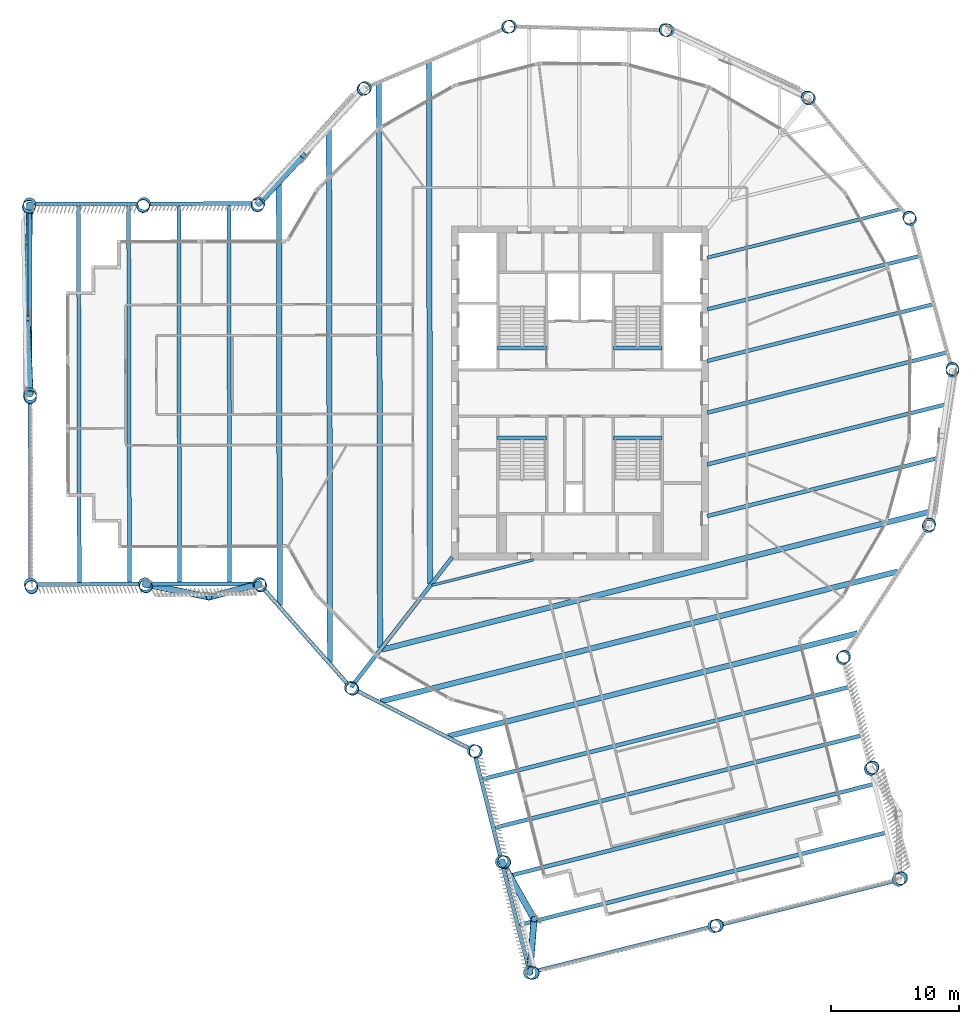
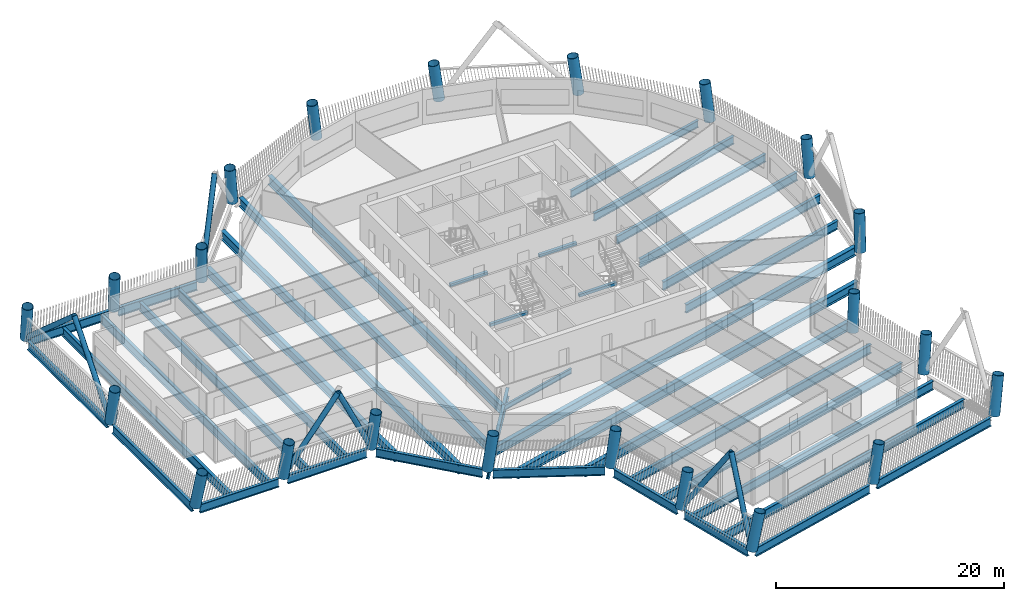
# One storey, part 1 of 22: 39 beams, 22 columns, 7 members.
"""IFC4 building model written with IfcOpenShell, lengths in metres."""

import ifcopenshell
import ifcopenshell.guid

model = None  # the IFC model being written
_history = None  # IfcOwnerHistory: only IFC2X3 demands one
_inside = {}  # id of a spatial element -> (the spatial element, [elements in it])
_under = {}  # id of a project, library or spatial element -> (it, [spatial elements below it])
_declared = {}  # id of a project -> (the project, [libraries it declares])
_typed = {}  # id of a type object -> (the type object, [elements of that type])
_made_of = {}  # id of a material, layer set ... -> (it, [elements and type objects made of it])


def new_model(schema):
    """Start an empty IFC model of exactly this schema.

    Asked for "IFC4X3", IfcOpenShell would pick the latest addendum, in which some entities
    have other attributes; the version numbers below select the first issue.
    IFC2X3 requires an IfcOwnerHistory on every rooted entity: one is made here for all.
    """
    global model, _history
    if schema == "IFC4X3":
        model = ifcopenshell.file(schema_version=(4, 3, 0, 0))
    else:
        model = ifcopenshell.file(schema=schema)
    _inside.clear()
    _under.clear()
    _declared.clear()
    _typed.clear()
    _made_of.clear()
    _history = None
    if model.schema == "IFC2X3":
        org = make("IfcOrganization", Name="unknown")
        user = make(
            "IfcPersonAndOrganization",
            ThePerson=make("IfcPerson", FamilyName="unknown"),
            TheOrganization=org,
        )
        app = make(
            "IfcApplication",
            ApplicationDeveloper=org,
            Version="unknown",
            ApplicationFullName="unknown",
            ApplicationIdentifier="unknown",
        )
        _history = make(
            "IfcOwnerHistory",
            OwningUser=user,
            OwningApplication=app,
            ChangeAction="ADDED",
            CreationDate=0,
        )
    return model


def make(cls, **values):
    """One entity of the class cls with the attributes given. An attribute that is None is left unset."""
    return model.create_entity(
        cls, **{name: value for name, value in values.items() if value is not None}
    )


def rooted(cls, **values):
    """An entity with a GlobalId (a new one), such as an element, a storey or a relation."""
    return make(cls, GlobalId=ifcopenshell.guid.new(), OwnerHistory=_history, **values)


def si_unit(unit_type, name, prefix=None):
    """IfcSIUnit, for example si_unit("LENGTHUNIT", "METRE", prefix="MILLI")."""
    return make("IfcSIUnit", UnitType=unit_type, Prefix=prefix, Name=name)


def assignment(units):
    """IfcUnitAssignment: the units of a project."""
    return None if units is None else make("IfcUnitAssignment", Units=units)


def point(xyz):
    """IfcCartesianPoint."""
    return None if xyz is None else make("IfcCartesianPoint", Coordinates=xyz)


def direction(xyz):
    """IfcDirection."""
    return None if xyz is None else make("IfcDirection", DirectionRatios=xyz)


def frame(location, z_axis=None, x_axis=None):
    """IfcAxis2Placement3D, a coordinate frame: its origin and axes. An axis left out is left unset."""
    return make(
        "IfcAxis2Placement3D",
        Location=point(location),
        Axis=direction(z_axis),
        RefDirection=direction(x_axis),
    )


def frame_2d(location, x_axis=None):
    """IfcAxis2Placement2D, a coordinate frame in the plane: its origin and x axis."""
    return make(
        "IfcAxis2Placement2D", Location=point(location), RefDirection=direction(x_axis)
    )


def origin():
    """The frame at (0, 0, 0) with its axes left unset."""
    return frame((0.0, 0.0, 0.0))


def origin_2d():
    """The frame at (0, 0) in the plane with its x axis left unset."""
    return frame_2d((0.0, 0.0))


def place(relative_to, where):
    """IfcLocalPlacement: puts the frame where relative to a parent placement (None: the world)."""
    return make(
        "IfcLocalPlacement", PlacementRelTo=relative_to, RelativePlacement=where
    )


def context(
    kind, dimensions, precision=None, world=None, true_north=None, identifier=None
):
    """IfcGeometricRepresentationContext, for example the 3D "Model" context."""
    return make(
        "IfcGeometricRepresentationContext",
        ContextIdentifier=identifier,
        ContextType=kind,
        CoordinateSpaceDimension=dimensions,
        Precision=precision,
        WorldCoordinateSystem=world,
        TrueNorth=true_north,
    )


def subcontext(parent, identifier, kind, view, scale=None):
    """IfcGeometricRepresentationSubContext, for example "Body" below "Model"."""
    return make(
        "IfcGeometricRepresentationSubContext",
        ContextIdentifier=identifier,
        ContextType=kind,
        ParentContext=parent,
        TargetScale=scale,
        TargetView=view,
    )


def project(units=None, contexts=None):
    """IfcProject with its units and contexts."""
    return rooted(
        "IfcProject",
        Name="project",
        RepresentationContexts=contexts,
        UnitsInContext=assignment(units),
    )


def spatial(cls, under=None, at=None, **own):
    """A site, building, storey or space (cls), placed at a placement, below another one or the project."""
    s = rooted(cls, ObjectPlacement=at, **own)
    if under is not None:
        _under.setdefault(under.id(), (under, []))[1].append(s)
    return s


def profile(cls, at=None, kind="AREA", **sizes):
    """A parametric profile (cls). Its sizes go by their IFC names, for example OverallWidth=200.0."""
    return make(cls, ProfileType=kind, Position=at, **sizes)


def rectangle(**sizes):
    """IfcRectangleProfileDef."""
    return profile("IfcRectangleProfileDef", **sizes)


def hollow_circle(**sizes):
    """IfcCircleHollowProfileDef."""
    return profile("IfcCircleHollowProfileDef", **sizes)


def i_section(**sizes):
    """IfcIShapeProfileDef."""
    return profile("IfcIShapeProfileDef", **sizes)


def extrude(swept, where, along, depth):
    """IfcExtrudedAreaSolid: the profile swept, set in the frame where, extruded along a direction by depth."""
    return make(
        "IfcExtrudedAreaSolid",
        SweptArea=swept,
        Position=where,
        ExtrudedDirection=direction(along),
        Depth=depth,
    )


def shape(context_of_items, identifier, shape_type, items):
    """IfcShapeRepresentation: the items that make up one representation, for example the "Body"."""
    return make(
        "IfcShapeRepresentation",
        ContextOfItems=context_of_items,
        RepresentationIdentifier=identifier,
        RepresentationType=shape_type,
        Items=items,
    )


def material(Name=None, Category=None):
    """IfcMaterial."""
    return make("IfcMaterial", Name=Name, Category=Category)


def material_profile(
    of_material, cross_section, Name=None, Category=None, Priority=None
):
    """IfcMaterialProfile: a cross section and its material."""
    return make(
        "IfcMaterialProfile",
        Name=Name,
        Material=of_material,
        Profile=cross_section,
        Priority=Priority,
        Category=Category,
    )


def profile_set(profiles, Name=None, composite=None):
    """IfcMaterialProfileSet."""
    return make(
        "IfcMaterialProfileSet",
        Name=Name,
        MaterialProfiles=profiles,
        CompositeProfile=composite,
    )


def made_of(thing, what):
    """Note that an element or type object is made of a material, layer set ...; save() writes the relation."""
    if what is not None:
        _made_of.setdefault(what.id(), (what, []))[1].append(thing)
    return thing


def type_object(cls, material=None, **own):
    """A type object (cls), such as IfcWallType, which elements share."""
    return made_of(rooted(cls, **own), material)


def element(
    cls,
    number,
    at=None,
    inside=None,
    cuts=None,
    type_object=None,
    material=None,
    context=None,
    identifier="Body",
    shape_type=None,
    held_by="IfcProductDefinitionShape",
    body=None,
    shapes=None,
    **own,
):
    """One element of the class cls, such as IfcWall. Its Tag is "e" and its number.

    at: its placement. inside: the storey or other place that contains it. cuts: it is an
    opening in that element (IfcRelVoidsElement). A single representation is given by context,
    identifier, shape_type and body (its items); several are given by shapes. held_by: the class
    of the entity that holds the representations. save() writes the other relations.
    """
    e = rooted(cls, Tag="e%d" % number, ObjectPlacement=at, **own)
    if body is not None:
        shapes = [shape(context, identifier, shape_type, body)]
    if shapes is not None:
        e.Representation = make(held_by, Representations=shapes)
    if inside is not None:
        _inside.setdefault(inside.id(), (inside, []))[1].append(e)
    if cuts is not None:
        rooted(
            "IfcRelVoidsElement", RelatingBuildingElement=cuts, RelatedOpeningElement=e
        )
    if type_object is not None:
        _typed.setdefault(type_object.id(), (type_object, []))[1].append(e)
    return made_of(e, material)


def aggregate(whole, parts):
    """IfcRelAggregates: a whole, such as a stair, and the parts it consists of."""
    return rooted("IfcRelAggregates", RelatingObject=whole, RelatedObjects=parts)


def save(model, path):
    """Write the relations noted so far, then the file.

    IfcRelAggregates (storeys below a building ...), IfcRelContainedInSpatialStructure (elements
    in a storey), IfcRelDefinesByType, IfcRelAssociatesMaterial and IfcRelDeclares: one each for
    every whole, place, type object, material and project.
    """
    for whole, parts in _under.values():
        aggregate(whole, parts)
    for where, things in _inside.values():
        rooted(
            "IfcRelContainedInSpatialStructure",
            RelatedElements=things,
            RelatingStructure=where,
        )
    for kind, things in _typed.values():
        rooted("IfcRelDefinesByType", RelatedObjects=things, RelatingType=kind)
    for what, things in _made_of.values():
        rooted("IfcRelAssociatesMaterial", RelatedObjects=things, RelatingMaterial=what)
    for by, libraries in _declared.values():
        rooted("IfcRelDeclares", RelatingContext=by, RelatedDefinitions=libraries)
    model.write(path)


model = new_model("IFC4")

# Units and contexts
model_context = context("Model", 3, precision=1e-05, world=origin(), true_north=direction((0.0, 1.0)))
body_context = subcontext(model_context, "Body", "Model", "MODEL_VIEW")
ifc_project = project(units=[si_unit("LENGTHUNIT", "METRE"), si_unit("AREAUNIT", "SQUARE_METRE"), si_unit("VOLUMEUNIT", "CUBIC_METRE"), si_unit("PLANEANGLEUNIT", "RADIAN"), si_unit("MASSUNIT", "GRAM", prefix="KILO")], contexts=[model_context])

# Site, building, storey
site_placement = place(None, origin())
site = spatial("IfcSite", under=ifc_project, at=site_placement, CompositionType="ELEMENT")
building_placement = place(site_placement, origin())
building = spatial("IfcBuilding", under=site, at=building_placement, Name="Tarsis Ring Headquarters", CompositionType="ELEMENT")
storey_placement = place(building_placement, frame((0.0, 0.0, 286.39990234375)))
storey = spatial("IfcBuildingStorey", under=building, at=storey_placement, Name="L67", CompositionType="ELEMENT", Elevation=286.39990234375)

# Columns
ifc_material_1 = material(Name="Structural steel S355", Category="steel")
ifc_material_profile_1 = material_profile(ifc_material_1, hollow_circle(Radius=0.508056640625, WallThickness=0.0400390625, at=origin_2d()), Name="CHS 1016x40")
ifc_profile_set_1 = profile_set([ifc_material_profile_1], Name="Structural steel S355")
column_type = type_object("IfcColumnType", Name="XC Exo column CHS 1016x40", PredefinedType="COLUMN", material=ifc_profile_set_1)
for number, where, z_axis, x_axis, name in (
    (1, (-17.8359375, -22.927978515625, 0.001220703125), (0.102426701848, -0.078264186979, 0.991656940572), (0.607146006102, 0.794590288938, 0.0), "Exo column XC6 F1"),
    (2, (-8.2548828125, -27.850830078125, 0.001220703125), (0.123917924806, -0.035591464117, 0.991653969686), (0.276057106633, 0.961141235135, 0.0), "Exo column XC6 AK"),
):
    element("IfcColumn", number, at=place(storey_placement, frame(where, z_axis=z_axis, x_axis=x_axis)), inside=storey, type_object=column_type, Name=name, PredefinedType="COLUMN", context=body_context, shape_type="SweptSolid", body=[
        extrude(hollow_circle(Radius=0.508056640625, WallThickness=0.0400390625, at=origin_2d()), origin(), (0.0, 0.0, 1.0), 3.930419921875),
    ])
column_1_placement = place(storey_placement, frame((-6.083251953125, -36.484130859375, 0.00146484375), z_axis=(0.161368355452, -0.025462949999, 0.986565705889), x_axis=(0.155865438, 0.987778297614, 0.0)))
element("IfcColumn", 3, at=column_1_placement, inside=storey, type_object=column_type, Name="Exo column XC6 AI1", PredefinedType="COLUMN", context=body_context, shape_type="SweptSolid", body=[
    extrude(hollow_circle(Radius=0.508056640625, WallThickness=0.0400390625, at=origin_2d()), origin(), (0.0, 0.0, 1.0), 3.9501953125),
])
column_2_placement = place(storey_placement, frame((-3.911376953125, -45.117431640625, 0.001708984375), z_axis=(0.198017140187, -0.01541156657, 0.980077392764), x_axis=(0.077594799865, 0.996984978339, 0.0)))
element("IfcColumn", 4, at=column_2_placement, inside=storey, type_object=column_type, Name="Exo column XC6 AT1", PredefinedType="COLUMN", context=body_context, shape_type="SweptSolid", body=[
    extrude(hollow_circle(Radius=0.508056640625, WallThickness=0.0400390625, at=origin_2d()), origin(), (0.0, 0.0, 1.0), 3.97607421875),
])
column_3_placement = place(storey_placement, frame((10.44140625, -41.5068359375, 0.00146484375), z_axis=(0.182055586927, 0.047498111899, 0.982140363), x_axis=(-0.252448520537, 0.967610326773, 0.0)))
element("IfcColumn", 5, at=column_3_placement, inside=storey, type_object=column_type, Name="Exo column XC6 AT2", PredefinedType="COLUMN", context=body_context, shape_type="SweptSolid", body=[
    extrude(hollow_circle(Radius=0.508056640625, WallThickness=0.0400390625, at=origin_2d()), origin(), (0.0, 0.0, 1.0), 3.968017578125),
])
column_4_placement = place(storey_placement, frame((24.79443359375, -37.896240234375, 0.001708984375), z_axis=(0.165229223187, 0.110214216136, 0.980077614461), x_axis=(-0.554914200922, 0.83190758478, 0.0)))
element("IfcColumn", 6, at=column_4_placement, inside=storey, type_object=column_type, Name="Exo column XC6 AT3", PredefinedType="COLUMN", context=body_context, shape_type="SweptSolid", body=[
    extrude(hollow_circle(Radius=0.508056640625, WallThickness=0.0400390625, at=origin_2d()), origin(), (0.0, 0.0, 1.0), 3.97607421875),
])
column_5_placement = place(storey_placement, frame((22.62255859375, -29.262939453125, 0.00146484375), z_axis=(0.128305399315, 0.100987968439, 0.986579522764), x_axis=(-0.618489994777, 0.785792673903, 0.0)))
element("IfcColumn", 7, at=column_5_placement, inside=storey, type_object=column_type, Name="Exo column XC6 AO1", PredefinedType="COLUMN", context=body_context, shape_type="SweptSolid", body=[
    extrude(hollow_circle(Radius=0.508056640625, WallThickness=0.0400390625, at=origin_2d()), origin(), (0.0, 0.0, 1.0), 3.9501953125),
])
for number, where, z_axis, x_axis, name in (
    (8, (20.45068359375, -20.629638671875, 0.001220703125), (0.09074911891, 0.091556605936, 0.991656183022), (-0.710231803454, 0.703967886599, 0.0), "Exo column XC6 AJ"),
    (9, (27.135986328125, -10.3662109375, 0.001220703125), (0.044970478042, 0.120873688218, 0.991648731962), (-0.937236493372, 0.348694358274, 0.0), "Exo column XC6 R1"),
    (10, (28.996337890625, 1.74072265625, 0.001220703125), (-0.008882388958, 0.128577238761, 0.99165971827), (-0.997622336847, -0.068917871579, 0.0), "Exo column XC6 R2"),
    (11, (25.700927734375, 13.537841796875, 0.001220703125), (-0.061058362462, 0.113544950743, 0.991654889835), (-0.880733966428, -0.473611317833, 0.0), "Exo column XC6 R3"),
    (12, (17.8359375, 22.927978515625, 0.001220703125), (-0.102426701848, 0.078264186979, 0.991656940572), (-0.607146006102, -0.794590288938, 0.0), "Exo column XC6 R4"),
    (13, (6.799560546875, 28.241455078125, 0.001220703125), (-0.125595214475, 0.029069515517, 0.991655588079), (-0.225492866117, -0.974244818991, 0.0), "Exo column XC6 R5"),
    (14, (-5.44580078125, 28.533447265625, 0.001220703125), (-0.126402855614, -0.025280571123, 0.991656800923), (0.196116135138, -0.980580675691, 0.0), "Exo column XC6 R6"),
    (15, (-16.722900390625, 23.752197265625, 0.001220703125), (-0.104724957123, -0.075158480497, 0.991657141438), (0.58306001818, -0.812429083182, 0.0), "Exo column XC6 R7"),
    (16, (-25.026611328125, 14.74755859375, 0.001220703125), (-0.064474801015, -0.111619669965, 0.991657223697), (0.865920730047, -0.500181256421, 0.0), "Exo column XC6 BJ"),
):
    element("IfcColumn", number, at=place(storey_placement, frame(where, z_axis=z_axis, x_axis=x_axis)), inside=storey, type_object=column_type, Name=name, PredefinedType="COLUMN", context=body_context, shape_type="SweptSolid", body=[
        extrude(hollow_circle(Radius=0.508056640625, WallThickness=0.0400390625, at=origin_2d()), origin(), (0.0, 0.0, 1.0), 3.930419921875),
    ])
column_6_placement = place(storey_placement, frame((-33.9287109375, 14.728759765625, 0.00146484375), z_axis=(-0.06371973989, -0.15036869753, 0.986574401427), x_axis=(0.920742503682, -0.390170785572, 0.0)))
element("IfcColumn", 17, at=column_6_placement, inside=storey, type_object=column_type, Name="Exo column XC6 BO1", PredefinedType="COLUMN", context=body_context, shape_type="SweptSolid", body=[
    extrude(hollow_circle(Radius=0.508056640625, WallThickness=0.0400390625, at=origin_2d()), origin(), (0.0, 0.0, 1.0), 3.9501953125),
])
column_7_placement = place(storey_placement, frame((-42.8310546875, 14.7099609375, 0.001708984375), z_axis=(-0.062874567081, -0.188378097464, 0.980081874748), x_axis=(0.948559554113, -0.316598756001, 0.0)))
element("IfcColumn", 18, at=column_7_placement, inside=storey, type_object=column_type, Name="Exo column XC6 BT3", PredefinedType="COLUMN", context=body_context, shape_type="SweptSolid", body=[
    extrude(hollow_circle(Radius=0.508056640625, WallThickness=0.0400390625, at=origin_2d()), origin(), (0.0, 0.0, 1.0), 3.97607421875),
])
column_8_placement = place(storey_placement, frame((-42.7998046875, -0.08984375, 0.00146484375), z_axis=(0.002030356677, -0.188146385429, 0.982138898172), x_axis=(0.999941778285, 0.010790738615, 0.0)))
element("IfcColumn", 19, at=column_8_placement, inside=storey, type_object=column_type, Name="Exo column XC6 BT2", PredefinedType="COLUMN", context=body_context, shape_type="SweptSolid", body=[
    extrude(hollow_circle(Radius=0.508056640625, WallThickness=0.0400390625, at=origin_2d()), origin(), (0.0, 0.0, 1.0), 3.968017578125),
])
column_9_placement = place(storey_placement, frame((-42.768798828125, -14.889892578125, 0.001708984375), z_axis=(0.066926396603, -0.187025508304, 0.980072607862), x_axis=(0.941531929029, 0.336923769744, 0.0)))
element("IfcColumn", 20, at=column_9_placement, inside=storey, type_object=column_type, Name="Exo column XC6 BT1", PredefinedType="COLUMN", context=body_context, shape_type="SweptSolid", body=[
    extrude(hollow_circle(Radius=0.508056640625, WallThickness=0.0400390625, at=origin_2d()), origin(), (0.0, 0.0, 1.0), 3.976318359375),
])
column_10_placement = place(storey_placement, frame((-33.86669921875, -14.87109375, 0.00146484375), z_axis=(0.066995252092, -0.148947008803, 0.986573071174), x_axis=(0.911992297845, 0.41020732401, 0.0)))
element("IfcColumn", 21, at=column_10_placement, inside=storey, type_object=column_type, Name="Exo column XC6 BI1", PredefinedType="COLUMN", context=body_context, shape_type="SweptSolid", body=[
    extrude(hollow_circle(Radius=0.508056640625, WallThickness=0.0400390625, at=origin_2d()), origin(), (0.0, 0.0, 1.0), 3.9501953125),
])
column_11_placement = place(storey_placement, frame((-24.96435546875, -14.8525390625, 0.001220703125), z_axis=(0.06689721921, -0.110190962748, 0.991656550319), x_axis=(0.854802783181, 0.518952986181, 0.0)))
element("IfcColumn", 22, at=column_11_placement, inside=storey, type_object=column_type, Name="Exo column XC6 BK", PredefinedType="COLUMN", context=body_context, shape_type="SweptSolid", body=[
    extrude(hollow_circle(Radius=0.508056640625, WallThickness=0.0400390625, at=origin_2d()), origin(), (0.0, 0.0, 1.0), 3.930419921875),
])

# Beams
ifc_material_profile_2 = material_profile(ifc_material_1, i_section(OverallWidth=0.209228515625, OverallDepth=0.533447265625, WebThickness=0.01025390625, FlangeThickness=0.015625, at=origin_2d()), Name="W21x62")
ifc_profile_set_2 = profile_set([ifc_material_profile_2], Name="Structural steel S355")
beam_type_1 = type_object("IfcBeamType", Name="FB Floor beam W21x62", PredefinedType="JOIST", material=ifc_profile_set_2)
beam_1_placement = place(storey_placement, frame((-11.521484375, -14.962890625, -0.426513671875), z_axis=(0.969783550514, 0.243966934548, 0.0), x_axis=(-0.243966934548, 0.969783550514, 0.0)))
element("IfcBeam", 23, at=beam_1_placement, inside=storey, type_object=beam_type_1, Name="Floor beam FB3", PredefinedType="JOIST", context=body_context, shape_type="SweptSolid", body=[
    extrude(i_section(OverallWidth=0.209228515625, OverallDepth=0.533447265625, WebThickness=0.01025390625, FlangeThickness=0.015625, at=origin_2d()), origin(), (0.0, 0.0, 1.0), 8.145751953125),
])
ifc_material_profile_3 = material_profile(ifc_material_1, i_section(OverallWidth=0.2666015625, OverallDepth=0.7568359375, WebThickness=0.013916015625, FlangeThickness=0.019287109375, at=origin_2d()), Name="W30x108")
ifc_profile_set_3 = profile_set([ifc_material_profile_3], Name="Structural steel S355")
beam_type_2 = type_object("IfcBeamType", Name="FB Floor beam W30x108", PredefinedType="JOIST", material=ifc_profile_set_3)
beam_2_placement = place(storey_placement, frame((9.903076171875, 10.5341796875, -0.538330078125), z_axis=(0.969786261932, 0.24395615624, 0.0), x_axis=(-0.24395615624, 0.969786261932, 0.0)))
element("IfcBeam", 24, at=beam_2_placement, inside=storey, type_object=beam_type_2, Name="Floor beam FB6", PredefinedType="JOIST", context=body_context, shape_type="SweptSolid", body=[
    extrude(i_section(OverallWidth=0.2666015625, OverallDepth=0.7568359375, WebThickness=0.013916015625, FlangeThickness=0.019287109375, at=origin_2d()), origin(), (0.0, 0.0, 1.0), 15.525634765625),
])
ifc_material_profile_4 = material_profile(ifc_material_1, i_section(OverallWidth=0.2919921875, OverallDepth=0.835693359375, WebThickness=0.013916015625, FlangeThickness=0.018798828125, at=origin_2d()), Name="W33x118")
ifc_profile_set_4 = profile_set([ifc_material_profile_4], Name="Structural steel S355")
beam_type_3 = type_object("IfcBeamType", Name="FB Floor beam W33x118", PredefinedType="JOIST", material=ifc_profile_set_4)
beam_3_placement = place(storey_placement, frame((9.903076171875, 6.5126953125, -0.57763671875), z_axis=(0.969787834106, 0.243949906374, 0.0), x_axis=(-0.243949906374, 0.969787834106, 0.0)))
element("IfcBeam", 25, at=beam_3_placement, inside=storey, type_object=beam_type_3, Name="Floor beam FB7", PredefinedType="JOIST", context=body_context, shape_type="SweptSolid", body=[
    extrude(i_section(OverallWidth=0.2919921875, OverallDepth=0.835693359375, WebThickness=0.013916015625, FlangeThickness=0.018798828125, at=origin_2d()), origin(), (0.0, 0.0, 1.0), 17.056396484375),
])
beam_4_placement = place(storey_placement, frame((9.903076171875, 2.4912109375, -0.57763671875), z_axis=(0.969789147491, 0.243944685141, 0.0), x_axis=(-0.243944685141, 0.969789147491, 0.0)))
element("IfcBeam", 26, at=beam_4_placement, inside=storey, type_object=beam_type_3, Name="Floor beam FB7", PredefinedType="JOIST", context=body_context, shape_type="SweptSolid", body=[
    extrude(i_section(OverallWidth=0.2919921875, OverallDepth=0.835693359375, WebThickness=0.013916015625, FlangeThickness=0.018798828125, at=origin_2d()), origin(), (0.0, 0.0, 1.0), 18.138671875),
])
ifc_material_profile_5 = material_profile(ifc_material_1, i_section(OverallWidth=0.3046875, OverallDepth=0.904296875, WebThickness=0.01513671875, FlangeThickness=0.02001953125, at=origin_2d()), Name="W36x135")
ifc_profile_set_5 = profile_set([ifc_material_profile_5], Name="Structural steel S355")
beam_type_4 = type_object("IfcBeamType", Name="FB Floor beam W36x135", PredefinedType="JOIST", material=ifc_profile_set_5)
beam_5_placement = place(storey_placement, frame((9.903076171875, -1.5302734375, -0.612060546875), z_axis=(0.969787307989, 0.243951997868, 0.0), x_axis=(-0.243951997868, 0.969787307989, 0.0)))
element("IfcBeam", 27, at=beam_5_placement, inside=storey, type_object=beam_type_4, Name="Floor beam FB8", PredefinedType="JOIST", context=body_context, shape_type="SweptSolid", body=[
    extrude(i_section(OverallWidth=0.3046875, OverallDepth=0.904296875, WebThickness=0.01513671875, FlangeThickness=0.02001953125, at=origin_2d()), origin(), (0.0, 0.0, 1.0), 19.220947265625),
])
beam_6_placement = place(storey_placement, frame((9.903076171875, -5.5517578125, -0.612060546875), z_axis=(0.969786346279, 0.24395582094, 0.0), x_axis=(-0.24395582094, 0.969786346279, 0.0)))
element("IfcBeam", 28, at=beam_6_placement, inside=storey, type_object=beam_type_4, Name="Floor beam FB8", PredefinedType="JOIST", context=body_context, shape_type="SweptSolid", body=[
    extrude(i_section(OverallWidth=0.3046875, OverallDepth=0.904296875, WebThickness=0.01513671875, FlangeThickness=0.02001953125, at=origin_2d()), origin(), (0.0, 0.0, 1.0), 19.20947265625),
])
beam_7_placement = place(storey_placement, frame((9.903076171875, -9.5732421875, -0.612060546875), z_axis=(0.969788377965, 0.243947744332, 0.0), x_axis=(-0.243947744332, 0.969788377965, 0.0)))
element("IfcBeam", 29, at=beam_7_placement, inside=storey, type_object=beam_type_4, Name="Floor beam FB8", PredefinedType="JOIST", context=body_context, shape_type="SweptSolid", body=[
    extrude(i_section(OverallWidth=0.3046875, OverallDepth=0.904296875, WebThickness=0.01513671875, FlangeThickness=0.02001953125, at=origin_2d()), origin(), (0.0, 0.0, 1.0), 18.546630859375),
])
ifc_material_profile_6 = material_profile(ifc_material_1, i_section(OverallWidth=0.309814453125, OverallDepth=0.949951171875, WebThickness=0.0244140625, FlangeThickness=0.0439453125, at=origin_2d()), Name="W36x256")
ifc_profile_set_6 = profile_set([ifc_material_profile_6], Name="Structural steel S355")
beam_type_5 = type_object("IfcBeamType", Name="FB Floor beam W36x256", PredefinedType="JOIST", material=ifc_profile_set_6)
beam_8_placement = place(storey_placement, frame((-7.6396484375, -30.072265625, -0.635009765625), z_axis=(0.969787918575, 0.243949570578, 0.0), x_axis=(-0.243949570578, 0.969787918575, 0.0)))
element("IfcBeam", 30, at=beam_8_placement, inside=storey, type_object=beam_type_5, Name="Floor beam FB11", PredefinedType="JOIST", context=body_context, shape_type="SweptSolid", body=[
    extrude(i_section(OverallWidth=0.309814453125, OverallDepth=0.949951171875, WebThickness=0.0244140625, FlangeThickness=0.0439453125, at=origin_2d()), origin(), (0.0, 0.0, 1.0), 29.489990234375),
])
for number, where, z_axis, x_axis, name in (
    (31, (-6.688232421875, -33.8544921875, -0.635009765625), (0.96978595997, 0.243957356613, 0.0), (-0.243957356613, 0.96978595997, 0.0), "Floor beam FB11"),
    (32, (-5.73681640625, -37.63671875, -0.635009765625), (0.96978595997, 0.243957356613, 0.0), (-0.243957356613, 0.96978595997, 0.0), "Floor beam FB11"),
):
    element("IfcBeam", number, at=place(storey_placement, frame(where, z_axis=z_axis, x_axis=x_axis)), inside=storey, type_object=beam_type_5, Name=name, PredefinedType="JOIST", context=body_context, shape_type="SweptSolid", body=[
        extrude(i_section(OverallWidth=0.309814453125, OverallDepth=0.949951171875, WebThickness=0.0244140625, FlangeThickness=0.0439453125, at=origin_2d()), origin(), (0.0, 0.0, 1.0), 29.490234375),
    ])
for number, where, z_axis, x_axis, name in (
    (33, (-4.785400390625, -41.418701171875, -0.635009765625), (0.969787918575, 0.243949570578, 0.0), (-0.243949570578, 0.969787918575, 0.0), "Floor beam FB11"),
    (34, (-27.330810546875, 14.687744140625, -0.635009765625), (0.002094522316, -0.999997806486, 0.0), (0.999997806486, 0.002094522316, 0.0), "Floor beam FB11"),
    (35, (-31.230712890625, 14.6796875, -0.635009765625), (0.002094522316, -0.999997806486, 0.0), (0.999997806486, 0.002094522316, 0.0), "Floor beam FB11"),
    (36, (-35.130859375, 14.67138671875, -0.635009765625), (0.002094522316, -0.999997806486, 0.0), (0.999997806486, 0.002094522316, 0.0), "Floor beam FB11"),
    (37, (-39.03076171875, 14.663330078125, -0.635009765625), (0.002094522316, -0.999997806486, 0.0), (0.999997806486, 0.002094522316, 0.0), "Floor beam FB11"),
):
    element("IfcBeam", number, at=place(storey_placement, frame(where, z_axis=z_axis, x_axis=x_axis)), inside=storey, type_object=beam_type_5, Name=name, PredefinedType="JOIST", context=body_context, shape_type="SweptSolid", body=[
        extrude(i_section(OverallWidth=0.309814453125, OverallDepth=0.949951171875, WebThickness=0.0244140625, FlangeThickness=0.0439453125, at=origin_2d()), origin(), (0.0, 0.0, 1.0), 29.489990234375),
    ])
beam_type_6 = type_object("IfcBeamType", Name="FB Floor beam W36x256 spine", PredefinedType="BEAM", material=ifc_profile_set_6)
beam_9_placement = place(storey_placement, frame((-9.938720703125, -12.77587890625, -0.635009765625), z_axis=(-0.614001333333, -0.789304987102, 0.0), x_axis=(0.789304987102, -0.614001333333, 0.0)))
element("IfcBeam", 38, at=beam_9_placement, inside=storey, type_object=beam_type_6, Name="Floor beam SB11", PredefinedType="BEAM", context=body_context, shape_type="SweptSolid", body=[
    extrude(i_section(OverallWidth=0.309814453125, OverallDepth=0.949951171875, WebThickness=0.0244140625, FlangeThickness=0.0439453125, at=origin_2d()), origin(), (0.0, 0.0, 1.0), 12.80419921875),
])
ifc_material_profile_7 = material_profile(ifc_material_1, i_section(OverallWidth=0.42431640625, OverallDepth=0.947509765625, WebThickness=0.02392578125, FlangeThickness=0.042724609375, at=origin_2d()), Name="W36x302")
ifc_profile_set_7 = profile_set([ifc_material_profile_7], Name="Structural steel S355")
beam_type_7 = type_object("IfcBeamType", Name="FB Floor beam W36x302", PredefinedType="JOIST", material=ifc_profile_set_7)
beam_10_placement = place(storey_placement, frame((-15.4111328125, -19.962646484375, -0.633544921875), z_axis=(0.969786895327, 0.243953638327, 0.0), x_axis=(-0.243953638327, 0.969786895327, 0.0)))
element("IfcBeam", 39, at=beam_10_placement, inside=storey, type_object=beam_type_7, Name="Floor beam FB12", PredefinedType="JOIST", context=body_context, shape_type="SweptSolid", body=[
    extrude(i_section(OverallWidth=0.42431640625, OverallDepth=0.947509765625, WebThickness=0.02392578125, FlangeThickness=0.042724609375, at=origin_2d()), origin(), (0.0, 0.0, 1.0), 43.986572265625),
])
beam_11_placement = place(storey_placement, frame((-15.5283203125, -24.013671875, -0.633544921875), z_axis=(0.969786612979, 0.243954760738, 0.0), x_axis=(-0.243954760738, 0.969786612979, 0.0)))
element("IfcBeam", 40, at=beam_11_placement, inside=storey, type_object=beam_type_7, Name="Floor beam FB12", PredefinedType="JOIST", context=body_context, shape_type="SweptSolid", body=[
    extrude(i_section(OverallWidth=0.42431640625, OverallDepth=0.947509765625, WebThickness=0.02392578125, FlangeThickness=0.042724609375, at=origin_2d()), origin(), (0.0, 0.0, 1.0), 41.523681640625),
])
beam_12_placement = place(storey_placement, frame((-10.27392578125, -26.71337890625, -0.633544921875), z_axis=(0.969787189112, 0.24395247044, 0.0), x_axis=(-0.24395247044, 0.969787189112, 0.0)))
element("IfcBeam", 41, at=beam_12_placement, inside=storey, type_object=beam_type_7, Name="Floor beam FB12", PredefinedType="JOIST", context=body_context, shape_type="SweptSolid", body=[
    extrude(i_section(OverallWidth=0.42431640625, OverallDepth=0.947509765625, WebThickness=0.02392578125, FlangeThickness=0.042724609375, at=origin_2d()), origin(), (0.0, 0.0, 1.0), 32.875244140625),
])
beam_13_placement = place(storey_placement, frame((-11.754150390625, 25.79052734375, -0.633544921875), z_axis=(0.002096645557, -0.999997802036, 0.0), x_axis=(0.999997802036, 0.002096645557, 0.0)))
element("IfcBeam", 42, at=beam_13_placement, inside=storey, type_object=beam_type_7, Name="Floor beam FB12", PredefinedType="JOIST", context=body_context, shape_type="SweptSolid", body=[
    extrude(i_section(OverallWidth=0.42431640625, OverallDepth=0.947509765625, WebThickness=0.02392578125, FlangeThickness=0.042724609375, at=origin_2d()), origin(), (0.0, 0.0, 1.0), 40.638671875),
])
beam_14_placement = place(storey_placement, frame((-15.650634765625, 24.138427734375, -0.633544921875), z_axis=(0.002098025565, -0.999997799142, 0.0), x_axis=(0.999997799142, 0.002098025565, 0.0)))
element("IfcBeam", 43, at=beam_14_placement, inside=storey, type_object=beam_type_7, Name="Floor beam FB12", PredefinedType="JOIST", context=body_context, shape_type="SweptSolid", body=[
    extrude(i_section(OverallWidth=0.42431640625, OverallDepth=0.947509765625, WebThickness=0.02392578125, FlangeThickness=0.042724609375, at=origin_2d()), origin(), (0.0, 0.0, 1.0), 43.986572265625),
])
beam_15_placement = place(storey_placement, frame((-19.543212890625, 20.5654296875, -0.633544921875), z_axis=(0.002098995264, -0.999997797107, 0.0), x_axis=(0.999997797107, 0.002098995264, 0.0)))
element("IfcBeam", 44, at=beam_15_placement, inside=storey, type_object=beam_type_7, Name="Floor beam FB12", PredefinedType="JOIST", context=body_context, shape_type="SweptSolid", body=[
    extrude(i_section(OverallWidth=0.42431640625, OverallDepth=0.947509765625, WebThickness=0.02392578125, FlangeThickness=0.042724609375, at=origin_2d()), origin(), (0.0, 0.0, 1.0), 41.523681640625),
])
beam_16_placement = place(storey_placement, frame((-23.434326171875, 16.345947265625, -0.633544921875), z_axis=(0.002094189589, -0.999997807183, 0.0), x_axis=(0.999997807183, 0.002094189589, 0.0)))
element("IfcBeam", 45, at=beam_16_placement, inside=storey, type_object=beam_type_7, Name="Floor beam FB12", PredefinedType="JOIST", context=body_context, shape_type="SweptSolid", body=[
    extrude(i_section(OverallWidth=0.42431640625, OverallDepth=0.947509765625, WebThickness=0.02392578125, FlangeThickness=0.042724609375, at=origin_2d()), origin(), (0.0, 0.0, 1.0), 32.87548828125),
])
ifc_material_2 = material(Name="Concrete C40/50", Category="concrete")
ifc_material_profile_8 = material_profile(ifc_material_2, rectangle(XDim=0.300048828125, YDim=0.300048828125, at=origin_2d()), Name="Stair head beam 300x300 C40/50")
ifc_profile_set_8 = profile_set([ifc_material_profile_8], Name="Concrete C40/50")
beam_type_8 = type_object("IfcBeamType", Name="Stair head beam 300x300 C40/50", PredefinedType="BEAM", material=ifc_profile_set_8)
for number, where, z_axis, x_axis, name in (
    (46, (-6.39990234375, 3.510009765625, -0.309814453125), (1.0, 0.0, 0.0), (0.0, 1.0, 0.0), "Stair head beam L67 Firefighting stair"),
    (47, (2.60009765625, 3.510009765625, -0.309814453125), (1.0, 0.0, 0.0), (0.0, 1.0, 0.0), "Stair head beam L67 Exit stair B"),
    (48, (-6.39990234375, -3.510009765625, -0.309814453125), (1.0, 0.0, 0.0), (0.0, 1.0, 0.0), "Stair head beam L67 Exit stair C"),
    (49, (2.60009765625, -3.510009765625, -0.309814453125), (1.0, 0.0, 0.0), (0.0, 1.0, 0.0), "Stair head beam L67 Exit stair D"),
):
    element("IfcBeam", number, at=place(storey_placement, frame(where, z_axis=z_axis, x_axis=x_axis)), inside=storey, type_object=beam_type_8, Name=name, PredefinedType="BEAM", context=body_context, shape_type="SweptSolid", body=[
        extrude(rectangle(XDim=0.300048828125, YDim=0.300048828125, at=origin_2d()), origin(), (0.0, 0.0, 1.0), 3.7998046875),
    ])

# Members
ifc_material_profile_9 = material_profile(ifc_material_1, hollow_circle(Radius=0.25390625, WallThickness=0.02001953125, at=origin_2d()), Name="CHS 508x20")
ifc_profile_set_9 = profile_set([ifc_material_profile_9], Name="Structural steel S355")
member_type = type_object("IfcMemberType", Name="XD X brace CHS 508x20", PredefinedType="BRACE", material=ifc_profile_set_9)
member_1_placement = place(storey_placement, frame((-6.083251953125, -36.484130859375, 0.0), z_axis=(0.269234323323, -0.478537065346, 0.83577219159), x_axis=(0.871531000877, 0.490340406769, 0.0)))
element("IfcMember", 50, at=member_1_placement, inside=storey, type_object=member_type, Name="X brace XD2", PredefinedType="BRACE", context=body_context, shape_type="SweptSolid", body=[
    extrude(hollow_circle(Radius=0.25390625, WallThickness=0.02001953125, at=origin_2d()), origin(), (0.0, 0.0, 1.0), 9.332763671875),
])
member_2_placement = place(storey_placement, frame((-3.91162109375, -45.117431640625, 0.0), z_axis=(0.038538246732, 0.470872822816, 0.881358944059), x_axis=(-0.996667489755, 0.081571532204, 0.0)))
element("IfcMember", 51, at=member_2_placement, inside=storey, type_object=member_type, Name="X brace XD2", PredefinedType="BRACE", context=body_context, shape_type="SweptSolid", body=[
    extrude(hollow_circle(Radius=0.25390625, WallThickness=0.02001953125, at=origin_2d()), origin(), (0.0, 0.0, 1.0), 8.85009765625),
])
member_3_placement = place(storey_placement, frame((-25.0263671875, 14.74755859375, 0.0), z_axis=(0.374037892, 0.402902552476, 0.835323403573), x_axis=(-0.732871404044, 0.680367184052, 0.0)))
element("IfcMember", 52, at=member_3_placement, inside=storey, type_object=member_type, Name="X brace XD2", PredefinedType="BRACE", context=body_context, shape_type="SweptSolid", body=[
    extrude(hollow_circle(Radius=0.25390625, WallThickness=0.02001953125, at=origin_2d()), origin(), (0.0, 0.0, 1.0), 9.337646484375),
])
member_4_placement = place(storey_placement, frame((-42.830810546875, 14.710205078125, 0.0), z_axis=(-0.018050021856, -0.751871081827, 0.659063026594), x_axis=(0.999711961173, -0.023999889322, 0.0)))
element("IfcMember", 53, at=member_4_placement, inside=storey, type_object=member_type, Name="X brace XD2", PredefinedType="BRACE", context=body_context, shape_type="SweptSolid", body=[
    extrude(hollow_circle(Radius=0.25390625, WallThickness=0.02001953125, at=origin_2d()), origin(), (0.0, 0.0, 1.0), 11.8349609375),
])
member_5_placement = place(storey_placement, frame((-42.7998046875, -0.089599609375, 0.0), z_axis=(-0.025002943509, 0.603164820869, 0.797224592998), x_axis=(-0.999141933364, -0.041417351366, 0.0)))
element("IfcMember", 54, at=member_5_placement, inside=storey, type_object=member_type, Name="X brace XD2", PredefinedType="BRACE", context=body_context, shape_type="SweptSolid", body=[
    extrude(hollow_circle(Radius=0.25390625, WallThickness=0.02001953125, at=origin_2d()), origin(), (0.0, 0.0, 1.0), 9.783935546875),
])
member_6_placement = place(storey_placement, frame((-33.86669921875, -14.870849609375, 0.0), z_axis=(0.53556223862, -0.108265885732, 0.837527066161), x_axis=(0.198145516309, 0.980172614577, 0.0)))
element("IfcMember", 55, at=member_6_placement, inside=storey, type_object=member_type, Name="X brace XD2", PredefinedType="BRACE", context=body_context, shape_type="SweptSolid", body=[
    extrude(hollow_circle(Radius=0.25390625, WallThickness=0.02001953125, at=origin_2d()), origin(), (0.0, 0.0, 1.0), 9.313232421875),
])
member_7_placement = place(storey_placement, frame((-24.96435546875, -14.852294921875, 0.0), z_axis=(-0.445471701904, -0.116855056643, 0.887637233637), x_axis=(0.253733044883, -0.967274284748, 0.0)))
element("IfcMember", 56, at=member_7_placement, inside=storey, type_object=member_type, Name="X brace XD2", PredefinedType="BRACE", context=body_context, shape_type="SweptSolid", body=[
    extrude(hollow_circle(Radius=0.25390625, WallThickness=0.02001953125, at=origin_2d()), origin(), (0.0, 0.0, 1.0), 8.787353515625),
])

# Beams
ifc_material_profile_10 = material_profile(ifc_material_1, i_section(OverallWidth=0.309814453125, OverallDepth=0.93212890625, WebThickness=0.02099609375, FlangeThickness=0.034423828125, at=origin_2d()), Name="W36x210")
ifc_profile_set_10 = profile_set([ifc_material_profile_10], Name="Structural steel S355")
beam_type_9 = type_object("IfcBeamType", Name="XG Ring girder W36x210", PredefinedType="BEAM", material=ifc_profile_set_10)
beam_17_placement = place(storey_placement, frame((-17.429443359375, -23.136962890625, -0.466064453125), z_axis=(0.889459275193, -0.457014439348, 0.0), x_axis=(0.457014439348, 0.889459275193, 0.0)))
element("IfcBeam", 57, at=beam_17_placement, inside=storey, type_object=beam_type_9, Name="Ring girder XG3", PredefinedType="BEAM", context=body_context, shape_type="SweptSolid", body=[
    extrude(i_section(OverallWidth=0.309814453125, OverallDepth=0.93212890625, WebThickness=0.02099609375, FlangeThickness=0.034423828125, at=origin_2d()), origin(), (0.0, 0.0, 1.0), 9.857177734375),
])
for number, where, z_axis, x_axis, name in (
    (58, (-8.1435546875, -28.294189453125, -0.466064453125), (0.243959271583, -0.969785478242, 0.0), (0.969785478242, 0.243959271583, 0.0), "Ring girder XG3"),
    (59, (-5.971923828125, -36.927490234375, -0.466064453125), (0.243959271583, -0.969785478242, 0.0), (0.969785478242, 0.243959271583, 0.0), "Ring girder XG3"),
):
    element("IfcBeam", number, at=place(storey_placement, frame(where, z_axis=z_axis, x_axis=x_axis)), inside=storey, type_object=beam_type_9, Name=name, PredefinedType="BEAM", context=body_context, shape_type="SweptSolid", body=[
        extrude(i_section(OverallWidth=0.309814453125, OverallDepth=0.93212890625, WebThickness=0.02099609375, FlangeThickness=0.034423828125, at=origin_2d()), origin(), (0.0, 0.0, 1.0), 7.988037109375),
    ])
for number, where, z_axis, x_axis, name in (
    (60, (-3.46826171875, -45.005859375, -0.466064453125), (0.969786713704, 0.243954360329, 0.0), (-0.243954360329, 0.969786713704, 0.0), "Ring girder XG3"),
    (61, (10.884521484375, -41.395263671875, -0.466064453125), (0.969786713704, 0.243954360329, 0.0), (-0.243954360329, 0.969786713704, 0.0), "Ring girder XG3"),
):
    element("IfcBeam", number, at=place(storey_placement, frame(where, z_axis=z_axis, x_axis=x_axis)), inside=storey, type_object=beam_type_9, Name=name, PredefinedType="BEAM", context=body_context, shape_type="SweptSolid", body=[
        extrude(i_section(OverallWidth=0.309814453125, OverallDepth=0.93212890625, WebThickness=0.02099609375, FlangeThickness=0.034423828125, at=origin_2d()), origin(), (0.0, 0.0, 1.0), 13.885498046875),
    ])
for number, where, z_axis, x_axis, name in (
    (62, (-25.483642578125, 14.74658203125, -0.466064453125), (-0.999997840203, -0.002078362159, 0.0), (0.002078362159, -0.999997840203, 0.0), "Ring girder XG3"),
    (63, (-34.385986328125, 14.72802734375, -0.466064453125), (-0.999997776213, -0.002108926174, 0.0), (0.002108926174, -0.999997776213, 0.0), "Ring girder XG3"),
):
    element("IfcBeam", number, at=place(storey_placement, frame(where, z_axis=z_axis, x_axis=x_axis)), inside=storey, type_object=beam_type_9, Name=name, PredefinedType="BEAM", context=body_context, shape_type="SweptSolid", body=[
        extrude(i_section(OverallWidth=0.309814453125, OverallDepth=0.93212890625, WebThickness=0.02099609375, FlangeThickness=0.034423828125, at=origin_2d()), origin(), (0.0, 0.0, 1.0), 7.98779296875),
    ])
for number, where, z_axis, x_axis, name in (
    (64, (-42.829833984375, 14.253173828125, -0.466064453125), (0.002092303113, -0.999997811131, 0.0), (0.999997811131, 0.002092303113, 0.0), "Ring girder XG3"),
    (65, (-42.798828125, -0.546875, -0.466064453125), (0.002092303113, -0.999997811131, 0.0), (0.999997811131, 0.002092303113, 0.0), "Ring girder XG3"),
):
    element("IfcBeam", number, at=place(storey_placement, frame(where, z_axis=z_axis, x_axis=x_axis)), inside=storey, type_object=beam_type_9, Name=name, PredefinedType="BEAM", context=body_context, shape_type="SweptSolid", body=[
        extrude(i_section(OverallWidth=0.309814453125, OverallDepth=0.93212890625, WebThickness=0.02099609375, FlangeThickness=0.034423828125, at=origin_2d()), origin(), (0.0, 0.0, 1.0), 13.885498046875),
    ])
for number, where, z_axis, x_axis, name in (
    (66, (-42.311767578125, -14.888671875, -0.466064453125), (0.999997776213, 0.002108926174, 0.0), (-0.002108926174, 0.999997776213, 0.0), "Ring girder XG3"),
    (67, (-33.409423828125, -14.8701171875, -0.466064453125), (0.999997776213, 0.002108926174, 0.0), (-0.002108926174, 0.999997776213, 0.0), "Ring girder XG3"),
):
    element("IfcBeam", number, at=place(storey_placement, frame(where, z_axis=z_axis, x_axis=x_axis)), inside=storey, type_object=beam_type_9, Name=name, PredefinedType="BEAM", context=body_context, shape_type="SweptSolid", body=[
        extrude(i_section(OverallWidth=0.309814453125, OverallDepth=0.93212890625, WebThickness=0.02099609375, FlangeThickness=0.034423828125, at=origin_2d()), origin(), (0.0, 0.0, 1.0), 7.98779296875),
    ])
beam_18_placement = place(storey_placement, frame((-24.661865234375, -15.195068359375, -0.466064453125), z_axis=(0.66176333981, -0.749712799733, 0.0), x_axis=(0.749712799733, 0.66176333981, 0.0)))
element("IfcBeam", 68, at=beam_18_placement, inside=storey, type_object=beam_type_9, Name="Ring girder XG3", PredefinedType="BEAM", context=body_context, shape_type="SweptSolid", body=[
    extrude(i_section(OverallWidth=0.309814453125, OverallDepth=0.93212890625, WebThickness=0.02099609375, FlangeThickness=0.034423828125, at=origin_2d()), origin(), (0.0, 0.0, 1.0), 9.857177734375),
])

save(model, "model.ifc")
